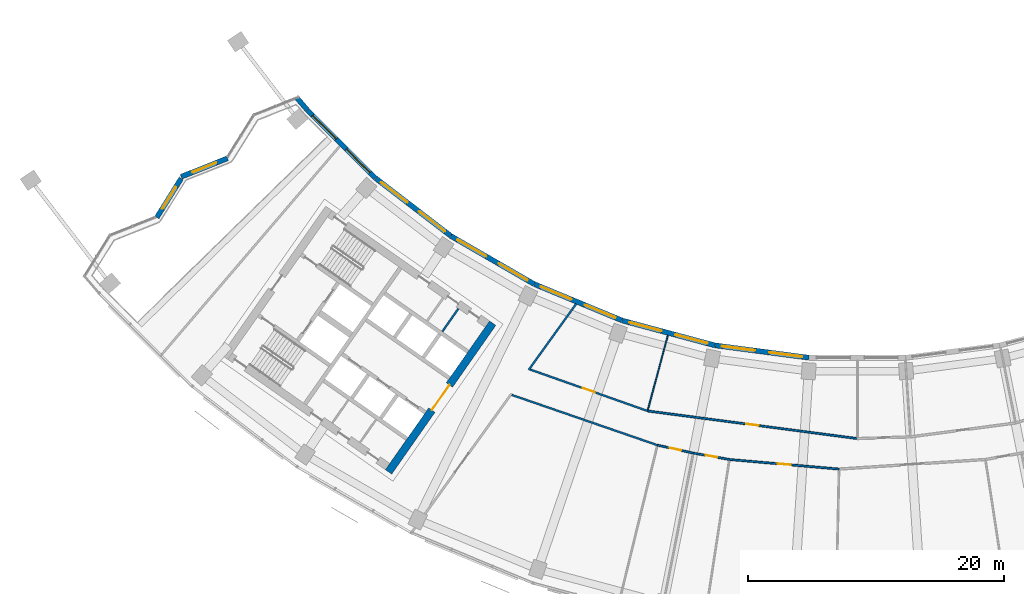
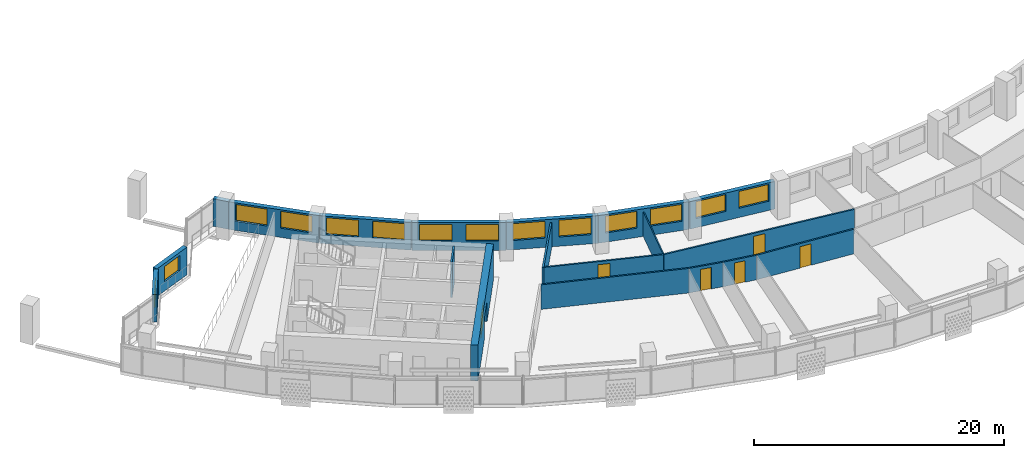
# One storey, part 4 of 27: 19 walls, 14 windows, 6 doors, 20 openings.
"""IFC4 building model written with IfcOpenShell, lengths in metres."""

from ifc_helpers import new_model, si_unit, direction, frame, frame_2d, origin, place, context, subcontext, project, spatial, rectangle, extrude, material, layer, layer_set, type_object, element, fill, save


model = new_model("IFC4")

# Units and contexts
model_context = context("Model", 3, precision=1e-05, world=origin(), true_north=direction((0.0, 1.0)))
body_context = subcontext(model_context, "Body", "Model", "MODEL_VIEW")
ifc_project = project(units=[si_unit("LENGTHUNIT", "METRE"), si_unit("AREAUNIT", "SQUARE_METRE"), si_unit("VOLUMEUNIT", "CUBIC_METRE"), si_unit("PLANEANGLEUNIT", "RADIAN"), si_unit("MASSUNIT", "GRAM", prefix="KILO")], contexts=[model_context])

# Site, building, storey
site_placement = place(None, origin())
site = spatial("IfcSite", under=ifc_project, at=site_placement, CompositionType="ELEMENT")
building_placement = place(site_placement, origin())
building = spatial("IfcBuilding", under=site, at=building_placement, Name="Qamariyya Broadcast Tower", CompositionType="ELEMENT")
storey_placement = place(building_placement, frame((0.0, 0.0, 153.10009765625)))
storey = spatial("IfcBuildingStorey", under=building, at=storey_placement, Name="L35", CompositionType="ELEMENT", Elevation=153.10009765625)

# Wall, opening, door
ifc_material_1 = material(Name="Concrete C60/75", Category="concrete")
ifc_layer_1 = layer(ifc_material_1, 0.60009765625)
ifc_layer_set_1 = layer_set([ifc_layer_1], Name="Core wall 600 mm Concrete C60/75")
wall_type_1 = type_object("IfcWallType", Name="Core wall 600 mm Concrete C60/75", PredefinedType="SHEAR", material=ifc_layer_set_1)
wall_1_placement = place(storey_placement, frame((-36.66748046875, -66.005126953125, 0.0), z_axis=(0.0, 0.0, 1.0), x_axis=(0.573568499524, 0.819157601658, 0.0)))
wall_1 = element("IfcWall", 1, at=wall_1_placement, inside=storey, type_object=wall_type_1, Name="k-W-L35-WA", PredefinedType="SHEAR", context=body_context, shape_type="SweptSolid", body=[
    extrude(rectangle(XDim=14.19970703125, YDim=0.60009765625, at=frame_2d((7.099853515625, 0.0))), origin(), (0.0, 0.0, 1.0), 3.5),
])
opening_1_placement = place(wall_1_placement, frame((5.89990234375, 0.0, 0.0)))
opening_1 = element("IfcOpeningElement", 2, at=opening_1_placement, cuts=wall_1, Name="Opening KD3-W1", PredefinedType="OPENING", context=body_context, shape_type="SweptSolid", body=[
    extrude(rectangle(XDim=2.39990234375, YDim=2.10009765625, at=frame_2d((1.199951171875, 1.050048828125))), frame((0.0, 0.31005859375, 0.0), z_axis=(0.0, -1.0, 0.0), x_axis=(1.0, 0.0, 0.0)), (0.0, 0.0, 1.0), 0.6201171875),
])
ifc_material_2 = material(Name="Steel fire-resisting door leaf", Category="steel")
door_type_1 = type_object("IfcDoorType", Name="Lift lobby door KD3", OperationType="DOUBLE_DOOR_SINGLE_SWING", PredefinedType="DOOR", material=ifc_material_2)
door_1_placement = place(opening_1_placement, origin())
door_1 = element("IfcDoor", 3, at=door_1_placement, inside=storey, type_object=door_type_1, Name="k-W-L35-WA-D1", OperationType="DOUBLE_DOOR_SINGLE_SWING", OverallHeight=2.10009765625, OverallWidth=2.39990234375, PredefinedType="DOOR", context=body_context, shape_type="SweptSolid", body=[
    extrude(rectangle(XDim=2.39990234375, YDim=2.10009765625, at=frame_2d((1.199951171875, 1.050048828125))), frame((0.0, 0.02490234375, 0.0), z_axis=(0.0, -1.0, 0.0), x_axis=(1.0, 0.0, 0.0)), (0.0, 0.0, 1.0), 0.050048828125),
])
fill(opening_1, door_1)

# Wall
ifc_material_3 = material(Name="Gypsum board partition")
ifc_layer_2 = layer(ifc_material_3, 0.14990234375)
ifc_layer_set_2 = layer_set([ifc_layer_2], Name="Corridor partition 150 EI 60")
wall_type_2 = type_object("IfcWallType", Name="Corridor partition 150 EI 60", PredefinedType="PARTITIONING", material=ifc_layer_set_2)
wall_2_placement = place(storey_placement, frame((-27.02978515625, -59.984375, 0.0), z_axis=(0.0, 0.0, 1.0), x_axis=(0.945316775618, -0.32615363517, 0.0)))
element("IfcWall", 4, at=wall_2_placement, inside=storey, type_object=wall_type_2, Name="Partition L35-003", PredefinedType="PARTITIONING", context=body_context, shape_type="SweptSolid", body=[
    extrude(rectangle(XDim=12.05078125, YDim=0.14990234375, at=frame_2d((6.025390625, 0.0))), origin(), (0.0, 0.0, 1.0), 2.39990234375),
])

# Wall, opening, door
wall_3_placement = place(storey_placement, frame((-25.598388671875, -57.99609375, 0.0), z_axis=(0.0, 0.0, 1.0), x_axis=(0.942977382292, -0.332856810785, 0.0)))
wall_3 = element("IfcWall", 5, at=wall_3_placement, inside=storey, type_object=wall_type_2, Name="Partition L35-004", PredefinedType="PARTITIONING", context=body_context, shape_type="SweptSolid", body=[
    extrude(rectangle(XDim=9.744873046875, YDim=0.14990234375, at=frame_2d((4.87255859375, 0.0))), origin(), (0.0, 0.0, 1.0), 2.39990234375),
])
opening_2_placement = place(wall_3_placement, frame((4.37255859375, 0.0, 0.0)))
opening_2 = element("IfcOpeningElement", 6, at=opening_2_placement, cuts=wall_3, Name="Opening L35-D09", PredefinedType="OPENING", context=body_context, shape_type="SweptSolid", body=[
    extrude(rectangle(XDim=1.0, YDim=2.10009765625, at=frame_2d((0.5, 1.050048828125))), frame((0.0, 0.0849609375, 0.0), z_axis=(0.0, -1.0, 0.0), x_axis=(1.0, 0.0, 0.0)), (0.0, 0.0, 1.0), 0.169921875),
])
ifc_material_4 = material(Name="Timber fire door leaf", Category="wood")
door_type_2 = type_object("IfcDoorType", Name="Fire door 1000 x 2100 FD60", OperationType="NOTDEFINED", PredefinedType="DOOR", material=ifc_material_4)
door_2_placement = place(opening_2_placement, origin())
door_2 = element("IfcDoor", 7, at=door_2_placement, inside=storey, type_object=door_type_2, Name="Door L35-D09", OperationType="SINGLE_SWING_RIGHT", OverallHeight=2.10009765625, OverallWidth=1.0, PredefinedType="DOOR", context=body_context, shape_type="SweptSolid", body=[
    extrude(rectangle(XDim=1.0, YDim=2.10009765625, at=frame_2d((0.5, 1.050048828125))), frame((0.0, 0.02490234375, 0.0), z_axis=(0.0, -1.0, 0.0), x_axis=(1.0, 0.0, 0.0)), (0.0, 0.0, 1.0), 0.050048828125),
])
fill(opening_2, door_2)

# Wall
wall_4_placement = place(storey_placement, frame((-22.0, -52.873046875, 0.0), z_axis=(0.0, 0.0, 1.0), x_axis=(-0.58417014289, -0.811631224236, 0.0)))
element("IfcWall", 8, at=wall_4_placement, inside=storey, type_object=wall_type_2, Name="Partition L35-005", PredefinedType="PARTITIONING", context=body_context, shape_type="SweptSolid", body=[
    extrude(rectangle(XDim=6.356201171875, YDim=0.14990234375, at=frame_2d((3.17822265625, 0.0))), origin(), (0.0, 0.0, 1.0), 2.39990234375),
])

# Wall, opening, door
wall_5_placement = place(storey_placement, frame((-16.4091796875, -61.23974609375, 0.0), z_axis=(0.0, 0.0, 1.0), x_axis=(0.991446059502, -0.130517091211, 0.0)))
wall_5 = element("IfcWall", 9, at=wall_5_placement, inside=storey, type_object=wall_type_2, Name="Partition L35-007", PredefinedType="PARTITIONING", context=body_context, shape_type="SweptSolid", body=[
    extrude(rectangle(XDim=16.55078125, YDim=0.14990234375, at=frame_2d((8.275390625, 0.0))), origin(), (0.0, 0.0, 1.0), 2.39990234375),
])
opening_3_placement = place(wall_5_placement, frame((7.775390625, 0.0, 0.0)))
opening_3 = element("IfcOpeningElement", 10, at=opening_3_placement, cuts=wall_5, Name="Opening L35-D10", PredefinedType="OPENING", context=body_context, shape_type="SweptSolid", body=[
    extrude(rectangle(XDim=1.0, YDim=2.10009765625, at=frame_2d((0.5, 1.050048828125))), frame((0.0, 0.0849609375, 0.0), z_axis=(0.0, -1.0, 0.0), x_axis=(1.0, 0.0, 0.0)), (0.0, 0.0, 1.0), 0.169921875),
])
door_3_placement = place(opening_3_placement, origin())
door_3 = element("IfcDoor", 11, at=door_3_placement, inside=storey, type_object=door_type_2, Name="Door L35-D10", OperationType="SINGLE_SWING_RIGHT", OverallHeight=2.10009765625, OverallWidth=1.0, PredefinedType="DOOR", context=body_context, shape_type="SweptSolid", body=[
    extrude(rectangle(XDim=1.0, YDim=2.10009765625, at=frame_2d((0.5, 1.050048828125))), frame((0.0, 0.02490234375, 0.0), z_axis=(0.0, -1.0, 0.0), x_axis=(1.0, 0.0, 0.0)), (0.0, 0.0, 1.0), 0.050048828125),
])
fill(opening_3, door_3)

wall_6_placement = place(storey_placement, frame((-12.8369140625, -64.53564453125, 0.0), z_axis=(0.0, 0.0, 1.0), x_axis=(-0.976305048544, 0.216398826676, 0.0)))
wall_6 = element("IfcWall", 12, at=wall_6_placement, inside=storey, type_object=wall_type_2, Name="Partition L35-008", PredefinedType="PARTITIONING", context=body_context, shape_type="SweptSolid", body=[
    extrude(rectangle(XDim=2.868896484375, YDim=0.14990234375, at=frame_2d((1.4345703125, 0.0))), origin(), (0.0, 0.0, 1.0), 2.39990234375),
])
opening_4_placement = place(wall_6_placement, frame((0.984619140625, 0.0, 0.0)))
opening_4 = element("IfcOpeningElement", 13, at=opening_4_placement, cuts=wall_6, Name="Opening L35-D02", PredefinedType="OPENING", context=body_context, shape_type="SweptSolid", body=[
    extrude(rectangle(XDim=0.89990234375, YDim=2.10009765625, at=frame_2d((0.449951171875, 1.050048828125))), frame((0.0, 0.0849609375, 0.0), z_axis=(0.0, -1.0, 0.0), x_axis=(1.0, 0.0, 0.0)), (0.0, 0.0, 1.0), 0.169921875),
])
door_type_3 = type_object("IfcDoorType", Name="Fire door 900 x 2100 FD60", OperationType="NOTDEFINED", PredefinedType="DOOR", material=ifc_material_4)
door_4_placement = place(opening_4_placement, origin())
door_4 = element("IfcDoor", 14, at=door_4_placement, inside=storey, type_object=door_type_3, Name="Door L35-D02", OperationType="SINGLE_SWING_RIGHT", OverallHeight=2.10009765625, OverallWidth=0.89990234375, PredefinedType="DOOR", context=body_context, shape_type="SweptSolid", body=[
    extrude(rectangle(XDim=0.89990234375, YDim=2.10009765625, at=frame_2d((0.449951171875, 1.050048828125))), frame((0.0, 0.02490234375, 0.0), z_axis=(0.0, -1.0, 0.0), x_axis=(1.0, 0.0, 0.0)), (0.0, 0.0, 1.0), 0.050048828125),
])
fill(opening_4, door_4)

wall_7_placement = place(storey_placement, frame((-10.011474609375, -65.033935546875, 0.0), z_axis=(0.0, 0.0, 1.0), x_axis=(-0.984802399532, 0.173678536027, 0.0)))
wall_7 = element("IfcWall", 15, at=wall_7_placement, inside=storey, type_object=wall_type_2, Name="Partition L35-011", PredefinedType="PARTITIONING", context=body_context, shape_type="SweptSolid", body=[
    extrude(rectangle(XDim=2.869140625, YDim=0.14990234375, at=frame_2d((1.4345703125, 0.0))), origin(), (0.0, 0.0, 1.0), 2.39990234375),
])
opening_5_placement = place(wall_7_placement, frame((0.984619140625, 0.0, 0.0)))
opening_5 = element("IfcOpeningElement", 16, at=opening_5_placement, cuts=wall_7, Name="Opening L35-D03", PredefinedType="OPENING", context=body_context, shape_type="SweptSolid", body=[
    extrude(rectangle(XDim=0.89990234375, YDim=2.10009765625, at=frame_2d((0.449951171875, 1.050048828125))), frame((0.0, 0.0849609375, 0.0), z_axis=(0.0, -1.0, 0.0), x_axis=(1.0, 0.0, 0.0)), (0.0, 0.0, 1.0), 0.169921875),
])
door_5_placement = place(opening_5_placement, origin())
door_5 = element("IfcDoor", 17, at=door_5_placement, inside=storey, type_object=door_type_3, Name="Door L35-D03", OperationType="SINGLE_SWING_RIGHT", OverallHeight=2.10009765625, OverallWidth=0.89990234375, PredefinedType="DOOR", context=body_context, shape_type="SweptSolid", body=[
    extrude(rectangle(XDim=0.89990234375, YDim=2.10009765625, at=frame_2d((0.449951171875, 1.050048828125))), frame((0.0, 0.02490234375, 0.0), z_axis=(0.0, -1.0, 0.0), x_axis=(1.0, 0.0, 0.0)), (0.0, 0.0, 1.0), 0.050048828125),
])
fill(opening_5, door_5)

wall_8_placement = place(storey_placement, frame((-1.437255859375, -65.7841796875, 0.0), z_axis=(0.0, 0.0, 1.0), x_axis=(-0.996193717496, 0.087166950281, 0.0)))
wall_8 = element("IfcWall", 18, at=wall_8_placement, inside=storey, type_object=wall_type_2, Name="Partition L35-013", PredefinedType="PARTITIONING", context=body_context, shape_type="SweptSolid", body=[
    extrude(rectangle(XDim=8.60693359375, YDim=0.14990234375, at=frame_2d((4.303466796875, 0.0))), origin(), (0.0, 0.0, 1.0), 2.39990234375),
])
opening_6_placement = place(wall_8_placement, frame((3.803466796875, 0.0, 0.0)))
opening_6 = element("IfcOpeningElement", 19, at=opening_6_placement, cuts=wall_8, Name="Opening L35-D04", PredefinedType="OPENING", context=body_context, shape_type="SweptSolid", body=[
    extrude(rectangle(XDim=1.0, YDim=2.10009765625, at=frame_2d((0.5, 1.050048828125))), frame((0.0, 0.0849609375, 0.0), z_axis=(0.0, -1.0, 0.0), x_axis=(1.0, 0.0, 0.0)), (0.0, 0.0, 1.0), 0.169921875),
])
door_6_placement = place(opening_6_placement, origin())
door_6 = element("IfcDoor", 20, at=door_6_placement, inside=storey, type_object=door_type_2, Name="Door L35-D04", OperationType="SINGLE_SWING_RIGHT", OverallHeight=2.10009765625, OverallWidth=1.0, PredefinedType="DOOR", context=body_context, shape_type="SweptSolid", body=[
    extrude(rectangle(XDim=1.0, YDim=2.10009765625, at=frame_2d((0.5, 1.050048828125))), frame((0.0, 0.02490234375, 0.0), z_axis=(0.0, -1.0, 0.0), x_axis=(1.0, 0.0, 0.0)), (0.0, 0.0, 1.0), 0.050048828125),
])
fill(opening_6, door_6)

# Walls
ifc_material_5 = material(Name="Gypsum board partition on steel studs", Category="steel")
ifc_layer_3 = layer(ifc_material_5, 0.14990234375)
ifc_layer_set_3 = layer_set([ifc_layer_3], Name="Gypsum board partition 150 mm")
wall_type_3 = type_object("IfcWallType", Name="Gypsum board partition 150 mm", PredefinedType="PARTITIONING", material=ifc_layer_set_3)
wall_9_placement = place(storey_placement, frame((-32.46337890625, -55.0322265625, 0.0), z_axis=(0.0, 0.0, 1.0), x_axis=(0.573507030513, 0.819200638399, 0.0)))
element("IfcWall", 21, at=wall_9_placement, inside=storey, type_object=wall_type_3, Name="k-W-L35-NP255", PredefinedType="PARTITIONING", context=body_context, shape_type="SweptSolid", body=[
    extrude(rectangle(XDim=2.199951171875, YDim=0.14990234375, at=frame_2d((1.10009765625, 0.0))), origin(), (0.0, 0.0, 1.0), 3.5),
])
ifc_layer_4 = layer(ifc_material_3, 0.10009765625)
ifc_layer_set_4 = layer_set([ifc_layer_4], Name="Partition 100")
wall_type_4 = type_object("IfcWallType", Name="Partition 100", PredefinedType="PARTITIONING", material=ifc_layer_set_4)
wall_10_placement = place(storey_placement, frame((-14.82470703125, -55.326171875, 0.0), z_axis=(0.0, 0.0, 1.0), x_axis=(-0.258793263352, -0.965932734119, 0.0)))
element("IfcWall", 22, at=wall_10_placement, inside=storey, type_object=wall_type_4, Name="Partition L35-010", PredefinedType="PARTITIONING", context=body_context, shape_type="SweptSolid", body=[
    extrude(rectangle(XDim=6.047119140625, YDim=0.10009765625, at=frame_2d((3.0234375, 0.0))), origin(), (0.0, 0.0, 1.0), 2.39990234375),
])

# Wall, opening, window
ifc_material_6 = material(Name="Terracotta", Category="masonry")
ifc_layer_5 = layer(ifc_material_6, 0.39990234375)
ifc_layer_set_5 = layer_set([ifc_layer_5], Name="Terracotta clad wall 400")
wall_type_5 = type_object("IfcWallType", Name="Terracotta clad wall 400", PredefinedType="SOLIDWALL", material=ifc_layer_set_5)
wall_11_placement = place(storey_placement, frame((-49.26318359375, -41.47265625, 0.0), z_axis=(0.0, 0.0, 1.0), x_axis=(-0.928787015949, -0.370613921762, 0.0)))
wall_11 = element("IfcWall", 23, at=wall_11_placement, inside=storey, type_object=wall_type_5, Name="e-wl-L35-capW2", PredefinedType="SOLIDWALL", context=body_context, shape_type="SweptSolid", body=[
    extrude(rectangle(XDim=3.90234375, YDim=0.39990234375, at=frame_2d((1.951171875, 0.0))), origin(), (0.0, 0.0, 1.0), 2.699951171875),
])
opening_7_placement = place(wall_11_placement, frame((0.951171875, 0.0, 0.89990234375)))
opening_7 = element("IfcOpeningElement", 24, at=opening_7_placement, cuts=wall_11, Name="Opening W4", PredefinedType="OPENING", context=body_context, shape_type="SweptSolid", body=[
    extrude(rectangle(XDim=2.0, YDim=1.5, at=frame_2d((1.0, 0.75))), frame((0.0, 0.2099609375, 0.0), z_axis=(0.0, -1.0, 0.0), x_axis=(1.0, 0.0, 0.0)), (0.0, 0.0, 1.0), 0.419921875),
])
ifc_material_7 = material(Name="Clear low-e double glazed unit in aluminium frame", Category="aluminium")
window_type_1 = type_object("IfcWindowType", Name="Horn bay window 2000 x 1500", PartitioningType="SINGLE_PANEL", PredefinedType="WINDOW", material=ifc_material_7)
window_1_placement = place(opening_7_placement, origin())
window_1 = element("IfcWindow", 25, at=window_1_placement, inside=storey, type_object=window_type_1, Name="e-w-L35-capW2", OverallHeight=1.5, OverallWidth=2.0, PartitioningType="SINGLE_PANEL", PredefinedType="WINDOW", context=body_context, shape_type="SweptSolid", body=[
    extrude(rectangle(XDim=2.0, YDim=1.5, at=frame_2d((1.0, 0.75))), frame((0.0, 0.030029296875, 0.0), z_axis=(0.0, -1.0, 0.0), x_axis=(1.0, 0.0, 0.0)), (0.0, 0.0, 1.0), 0.06005859375),
])
fill(opening_7, window_1)

wall_12_placement = place(storey_placement, frame((-52.89013671875, -43.056640625, 0.0), z_axis=(0.0, 0.0, 1.0), x_axis=(-0.529962239156, -0.84802124093, 0.0)))
wall_12 = element("IfcWall", 26, at=wall_12_placement, inside=storey, type_object=wall_type_5, Name="e-wl-L35-capW3", PredefinedType="SOLIDWALL", context=body_context, shape_type="SweptSolid", body=[
    extrude(rectangle(XDim=3.587646484375, YDim=0.39990234375, at=frame_2d((1.7939453125, 0.0))), origin(), (0.0, 0.0, 1.0), 2.699951171875),
])
opening_8_placement = place(wall_12_placement, frame((0.7939453125, 0.0, 0.89990234375)))
opening_8 = element("IfcOpeningElement", 27, at=opening_8_placement, cuts=wall_12, Name="Opening W4", PredefinedType="OPENING", context=body_context, shape_type="SweptSolid", body=[
    extrude(rectangle(XDim=2.0, YDim=1.5, at=frame_2d((1.0, 0.75))), frame((0.0, 0.2099609375, 0.0), z_axis=(0.0, -1.0, 0.0), x_axis=(1.0, 0.0, 0.0)), (0.0, 0.0, 1.0), 0.419921875),
])
window_2_placement = place(opening_8_placement, origin())
window_2 = element("IfcWindow", 28, at=window_2_placement, inside=storey, type_object=window_type_1, Name="e-w-L35-capW3", OverallHeight=1.5, OverallWidth=2.0, PartitioningType="SINGLE_PANEL", PredefinedType="WINDOW", context=body_context, shape_type="SweptSolid", body=[
    extrude(rectangle(XDim=2.0, YDim=1.5, at=frame_2d((1.0, 0.75))), frame((0.0, 0.030029296875, 0.0), z_axis=(0.0, -1.0, 0.0), x_axis=(1.0, 0.0, 0.0)), (0.0, 0.0, 1.0), 0.06005859375),
])
fill(opening_8, window_2)

# Wall
wall_13_placement = place(storey_placement, frame((-43.021484375, -37.69580078125, 0.0), z_axis=(0.0, 0.0, 1.0), x_axis=(-0.650512310751, 0.759495710035, 0.0)))
element("IfcWall", 29, at=wall_13_placement, inside=storey, type_object=wall_type_5, Name="e-wl-L35-in00", PredefinedType="SOLIDWALL", context=body_context, shape_type="SweptSolid", body=[
    extrude(rectangle(XDim=1.297119140625, YDim=0.39990234375, at=frame_2d((0.6484375, 0.0))), origin(), (0.0, 0.0, 1.0), 2.699951171875),
])

# Wall, openings, windows
wall_14_placement = place(storey_placement, frame((-37.697265625, -43.023193359375, 0.0), z_axis=(0.0, 0.0, 1.0), x_axis=(-0.707106781187, 0.707106781187, 0.0)))
wall_14 = element("IfcWall", 30, at=wall_14_placement, inside=storey, type_object=wall_type_5, Name="e-wl-L35-in10", PredefinedType="SOLIDWALL", context=body_context, shape_type="SweptSolid", body=[
    extrude(rectangle(XDim=7.516845703125, YDim=0.39990234375, at=frame_2d((3.75830078125, 0.0))), origin(), (0.0, 0.0, 1.0), 2.699951171875),
])
opening_9_placement = place(wall_14_placement, frame((4.330078125, 0.0, 0.89990234375)))
opening_9 = element("IfcOpeningElement", 31, at=opening_9_placement, cuts=wall_14, Name="Opening W1", PredefinedType="OPENING", context=body_context, shape_type="SweptSolid", body=[
    extrude(rectangle(XDim=2.60009765625, YDim=1.64990234375, at=frame_2d((1.300048828125, 0.824951171875))), frame((0.0, 0.2099609375, 0.0), z_axis=(0.0, -1.0, 0.0), x_axis=(1.0, 0.0, 0.0)), (0.0, 0.0, 1.0), 0.419921875),
])
opening_10_placement = place(wall_14_placement, frame((0.60205078125, 0.0, 0.89990234375)))
opening_10 = element("IfcOpeningElement", 32, at=opening_10_placement, cuts=wall_14, Name="Opening W1", PredefinedType="OPENING", context=body_context, shape_type="SweptSolid", body=[
    extrude(rectangle(XDim=2.60009765625, YDim=1.64990234375, at=frame_2d((1.300048828125, 0.824951171875))), frame((0.0, 0.2099609375, 0.0), z_axis=(0.0, -1.0, 0.0), x_axis=(1.0, 0.0, 0.0)), (0.0, 0.0, 1.0), 0.419921875),
])
window_type_2 = type_object("IfcWindowType", Name="Ribbon window 2600 x 1650", PartitioningType="SINGLE_PANEL", PredefinedType="WINDOW", material=ifc_material_7)
window_3_placement = place(opening_9_placement, origin())
window_3 = element("IfcWindow", 33, at=window_3_placement, inside=storey, type_object=window_type_2, Name="e-w-L35-in01-0", OverallHeight=1.64990234375, OverallWidth=2.60009765625, PartitioningType="SINGLE_PANEL", PredefinedType="WINDOW", context=body_context, shape_type="SweptSolid", body=[
    extrude(rectangle(XDim=2.60009765625, YDim=1.64990234375, at=frame_2d((1.300048828125, 0.824951171875))), frame((0.0, 0.030029296875, 0.0), z_axis=(0.0, -1.0, 0.0), x_axis=(1.0, 0.0, 0.0)), (0.0, 0.0, 1.0), 0.06005859375),
])
fill(opening_9, window_3)
window_4_placement = place(opening_10_placement, origin())
window_4 = element("IfcWindow", 34, at=window_4_placement, inside=storey, type_object=window_type_2, Name="e-w-L35-in01-1", OverallHeight=1.64990234375, OverallWidth=2.60009765625, PartitioningType="SINGLE_PANEL", PredefinedType="WINDOW", context=body_context, shape_type="SweptSolid", body=[
    extrude(rectangle(XDim=2.60009765625, YDim=1.64990234375, at=frame_2d((1.300048828125, 0.824951171875))), frame((0.0, 0.030029296875, 0.0), z_axis=(0.0, -1.0, 0.0), x_axis=(1.0, 0.0, 0.0)), (0.0, 0.0, 1.0), 0.06005859375),
])
fill(opening_10, window_4)

wall_15_placement = place(storey_placement, frame((-31.819091796875, -47.529541015625, 0.0), z_axis=(0.0, 0.0, 1.0), x_axis=(-0.79334647843, 0.608770371457, 0.0)))
wall_15 = element("IfcWall", 35, at=wall_15_placement, inside=storey, type_object=wall_type_5, Name="e-wl-L35-in20", PredefinedType="SOLIDWALL", context=body_context, shape_type="SweptSolid", body=[
    extrude(rectangle(XDim=7.380615234375, YDim=0.39990234375, at=frame_2d((3.6904296875, 0.0))), origin(), (0.0, 0.0, 1.0), 2.699951171875),
])
opening_11_placement = place(wall_15_placement, frame((4.25439453125, 0.0, 0.89990234375)))
opening_11 = element("IfcOpeningElement", 36, at=opening_11_placement, cuts=wall_15, Name="Opening W1", PredefinedType="OPENING", context=body_context, shape_type="SweptSolid", body=[
    extrude(rectangle(XDim=2.60009765625, YDim=1.64990234375, at=frame_2d((1.300048828125, 0.824951171875))), frame((0.0, 0.2099609375, 0.0), z_axis=(0.0, -1.0, 0.0), x_axis=(1.0, 0.0, 0.0)), (0.0, 0.0, 1.0), 0.419921875),
])
opening_12_placement = place(wall_15_placement, frame((0.5263671875, 0.0, 0.89990234375)))
opening_12 = element("IfcOpeningElement", 37, at=opening_12_placement, cuts=wall_15, Name="Opening W1", PredefinedType="OPENING", context=body_context, shape_type="SweptSolid", body=[
    extrude(rectangle(XDim=2.60009765625, YDim=1.64990234375, at=frame_2d((1.300048828125, 0.824951171875))), frame((0.0, 0.2099609375, 0.0), z_axis=(0.0, -1.0, 0.0), x_axis=(1.0, 0.0, 0.0)), (0.0, 0.0, 1.0), 0.419921875),
])
window_5_placement = place(opening_11_placement, origin())
window_5 = element("IfcWindow", 38, at=window_5_placement, inside=storey, type_object=window_type_2, Name="e-w-L35-in02-0", OverallHeight=1.64990234375, OverallWidth=2.60009765625, PartitioningType="SINGLE_PANEL", PredefinedType="WINDOW", context=body_context, shape_type="SweptSolid", body=[
    extrude(rectangle(XDim=2.60009765625, YDim=1.64990234375, at=frame_2d((1.300048828125, 0.824951171875))), frame((0.0, 0.030029296875, 0.0), z_axis=(0.0, -1.0, 0.0), x_axis=(1.0, 0.0, 0.0)), (0.0, 0.0, 1.0), 0.06005859375),
])
fill(opening_11, window_5)
window_6_placement = place(opening_12_placement, origin())
window_6 = element("IfcWindow", 39, at=window_6_placement, inside=storey, type_object=window_type_2, Name="e-w-L35-in02-1", OverallHeight=1.64990234375, OverallWidth=2.60009765625, PartitioningType="SINGLE_PANEL", PredefinedType="WINDOW", context=body_context, shape_type="SweptSolid", body=[
    extrude(rectangle(XDim=2.60009765625, YDim=1.64990234375, at=frame_2d((1.300048828125, 0.824951171875))), frame((0.0, 0.030029296875, 0.0), z_axis=(0.0, -1.0, 0.0), x_axis=(1.0, 0.0, 0.0)), (0.0, 0.0, 1.0), 0.06005859375),
])
fill(opening_12, window_6)

wall_16_placement = place(storey_placement, frame((-25.27734375, -51.31396484375, 0.0), z_axis=(0.0, 0.0, 1.0), x_axis=(-0.866028517328, 0.499994607145, 0.0)))
wall_16 = element("IfcWall", 40, at=wall_16_placement, inside=storey, type_object=wall_type_5, Name="e-wl-L35-in30", PredefinedType="SOLIDWALL", context=body_context, shape_type="SweptSolid", body=[
    extrude(rectangle(XDim=7.5322265625, YDim=0.39990234375, at=frame_2d((3.76611328125, 0.0))), origin(), (0.0, 0.0, 1.0), 2.699951171875),
])
opening_13_placement = place(wall_16_placement, frame((4.330078125, 0.0, 0.89990234375)))
opening_13 = element("IfcOpeningElement", 41, at=opening_13_placement, cuts=wall_16, Name="Opening W1", PredefinedType="OPENING", context=body_context, shape_type="SweptSolid", body=[
    extrude(rectangle(XDim=2.60009765625, YDim=1.64990234375, at=frame_2d((1.300048828125, 0.824951171875))), frame((0.0, 0.2099609375, 0.0), z_axis=(0.0, -1.0, 0.0), x_axis=(1.0, 0.0, 0.0)), (0.0, 0.0, 1.0), 0.419921875),
])
opening_14_placement = place(wall_16_placement, frame((0.60205078125, 0.0, 0.89990234375)))
opening_14 = element("IfcOpeningElement", 42, at=opening_14_placement, cuts=wall_16, Name="Opening W1", PredefinedType="OPENING", context=body_context, shape_type="SweptSolid", body=[
    extrude(rectangle(XDim=2.60009765625, YDim=1.64990234375, at=frame_2d((1.300048828125, 0.824951171875))), frame((0.0, 0.2099609375, 0.0), z_axis=(0.0, -1.0, 0.0), x_axis=(1.0, 0.0, 0.0)), (0.0, 0.0, 1.0), 0.419921875),
])
window_7_placement = place(opening_13_placement, origin())
window_7 = element("IfcWindow", 43, at=window_7_placement, inside=storey, type_object=window_type_2, Name="e-w-L35-in03-0", OverallHeight=1.64990234375, OverallWidth=2.60009765625, PartitioningType="SINGLE_PANEL", PredefinedType="WINDOW", context=body_context, shape_type="SweptSolid", body=[
    extrude(rectangle(XDim=2.60009765625, YDim=1.64990234375, at=frame_2d((1.300048828125, 0.824951171875))), frame((0.0, 0.030029296875, 0.0), z_axis=(0.0, -1.0, 0.0), x_axis=(1.0, 0.0, 0.0)), (0.0, 0.0, 1.0), 0.06005859375),
])
fill(opening_13, window_7)
window_8_placement = place(opening_14_placement, origin())
window_8 = element("IfcWindow", 44, at=window_8_placement, inside=storey, type_object=window_type_2, Name="e-w-L35-in03-1", OverallHeight=1.64990234375, OverallWidth=2.60009765625, PartitioningType="SINGLE_PANEL", PredefinedType="WINDOW", context=body_context, shape_type="SweptSolid", body=[
    extrude(rectangle(XDim=2.60009765625, YDim=1.64990234375, at=frame_2d((1.300048828125, 0.824951171875))), frame((0.0, 0.030029296875, 0.0), z_axis=(0.0, -1.0, 0.0), x_axis=(1.0, 0.0, 0.0)), (0.0, 0.0, 1.0), 0.06005859375),
])
fill(opening_14, window_8)

wall_17_placement = place(storey_placement, frame((-18.433349609375, -54.1455078125, 0.0), z_axis=(0.0, 0.0, 1.0), x_axis=(-0.923867659443, 0.382712095229, 0.0)))
wall_17 = element("IfcWall", 45, at=wall_17_placement, inside=storey, type_object=wall_type_5, Name="e-wl-L35-in40", PredefinedType="SOLIDWALL", context=body_context, shape_type="SweptSolid", body=[
    extrude(rectangle(XDim=7.380859375, YDim=0.39990234375, at=frame_2d((3.6904296875, 0.0))), origin(), (0.0, 0.0, 1.0), 2.699951171875),
])
opening_15_placement = place(wall_17_placement, frame((4.25439453125, 0.0, 0.89990234375)))
opening_15 = element("IfcOpeningElement", 46, at=opening_15_placement, cuts=wall_17, Name="Opening W1", PredefinedType="OPENING", context=body_context, shape_type="SweptSolid", body=[
    extrude(rectangle(XDim=2.60009765625, YDim=1.64990234375, at=frame_2d((1.300048828125, 0.824951171875))), frame((0.0, 0.2099609375, 0.0), z_axis=(0.0, -1.0, 0.0), x_axis=(1.0, 0.0, 0.0)), (0.0, 0.0, 1.0), 0.419921875),
])
opening_16_placement = place(wall_17_placement, frame((0.5263671875, 0.0, 0.89990234375)))
opening_16 = element("IfcOpeningElement", 47, at=opening_16_placement, cuts=wall_17, Name="Opening W1", PredefinedType="OPENING", context=body_context, shape_type="SweptSolid", body=[
    extrude(rectangle(XDim=2.60009765625, YDim=1.64990234375, at=frame_2d((1.300048828125, 0.824951171875))), frame((0.0, 0.2099609375, 0.0), z_axis=(0.0, -1.0, 0.0), x_axis=(1.0, 0.0, 0.0)), (0.0, 0.0, 1.0), 0.419921875),
])
window_9_placement = place(opening_15_placement, origin())
window_9 = element("IfcWindow", 48, at=window_9_placement, inside=storey, type_object=window_type_2, Name="e-w-L35-in04-0", OverallHeight=1.64990234375, OverallWidth=2.60009765625, PartitioningType="SINGLE_PANEL", PredefinedType="WINDOW", context=body_context, shape_type="SweptSolid", body=[
    extrude(rectangle(XDim=2.60009765625, YDim=1.64990234375, at=frame_2d((1.300048828125, 0.824951171875))), frame((0.0, 0.030029296875, 0.0), z_axis=(0.0, -1.0, 0.0), x_axis=(1.0, 0.0, 0.0)), (0.0, 0.0, 1.0), 0.06005859375),
])
fill(opening_15, window_9)
window_10_placement = place(opening_16_placement, origin())
window_10 = element("IfcWindow", 49, at=window_10_placement, inside=storey, type_object=window_type_2, Name="e-w-L35-in04-1", OverallHeight=1.64990234375, OverallWidth=2.60009765625, PartitioningType="SINGLE_PANEL", PredefinedType="WINDOW", context=body_context, shape_type="SweptSolid", body=[
    extrude(rectangle(XDim=2.60009765625, YDim=1.64990234375, at=frame_2d((1.300048828125, 0.824951171875))), frame((0.0, 0.030029296875, 0.0), z_axis=(0.0, -1.0, 0.0), x_axis=(1.0, 0.0, 0.0)), (0.0, 0.0, 1.0), 0.06005859375),
])
fill(opening_16, window_10)

wall_18_placement = place(storey_placement, frame((-11.135009765625, -56.10791015625, 0.0), z_axis=(0.0, 0.0, 1.0), x_axis=(-0.965927073219, 0.258814391452, 0.0)))
wall_18 = element("IfcWall", 50, at=wall_18_placement, inside=storey, type_object=wall_type_5, Name="e-wl-L35-in50", PredefinedType="SOLIDWALL", context=body_context, shape_type="SweptSolid", body=[
    extrude(rectangle(XDim=7.5322265625, YDim=0.39990234375, at=frame_2d((3.76611328125, 0.0))), origin(), (0.0, 0.0, 1.0), 2.699951171875),
])
opening_17_placement = place(wall_18_placement, frame((4.330078125, 0.0, 0.89990234375)))
opening_17 = element("IfcOpeningElement", 51, at=opening_17_placement, cuts=wall_18, Name="Opening W1", PredefinedType="OPENING", context=body_context, shape_type="SweptSolid", body=[
    extrude(rectangle(XDim=2.60009765625, YDim=1.64990234375, at=frame_2d((1.300048828125, 0.824951171875))), frame((0.0, 0.2099609375, 0.0), z_axis=(0.0, -1.0, 0.0), x_axis=(1.0, 0.0, 0.0)), (0.0, 0.0, 1.0), 0.419921875),
])
opening_18_placement = place(wall_18_placement, frame((0.60205078125, 0.0, 0.89990234375)))
opening_18 = element("IfcOpeningElement", 52, at=opening_18_placement, cuts=wall_18, Name="Opening W1", PredefinedType="OPENING", context=body_context, shape_type="SweptSolid", body=[
    extrude(rectangle(XDim=2.60009765625, YDim=1.64990234375, at=frame_2d((1.300048828125, 0.824951171875))), frame((0.0, 0.2099609375, 0.0), z_axis=(0.0, -1.0, 0.0), x_axis=(1.0, 0.0, 0.0)), (0.0, 0.0, 1.0), 0.419921875),
])
window_11_placement = place(opening_17_placement, origin())
window_11 = element("IfcWindow", 53, at=window_11_placement, inside=storey, type_object=window_type_2, Name="e-w-L35-in05-0", OverallHeight=1.64990234375, OverallWidth=2.60009765625, PartitioningType="SINGLE_PANEL", PredefinedType="WINDOW", context=body_context, shape_type="SweptSolid", body=[
    extrude(rectangle(XDim=2.60009765625, YDim=1.64990234375, at=frame_2d((1.300048828125, 0.824951171875))), frame((0.0, 0.030029296875, 0.0), z_axis=(0.0, -1.0, 0.0), x_axis=(1.0, 0.0, 0.0)), (0.0, 0.0, 1.0), 0.06005859375),
])
fill(opening_17, window_11)
window_12_placement = place(opening_18_placement, origin())
window_12 = element("IfcWindow", 54, at=window_12_placement, inside=storey, type_object=window_type_2, Name="e-w-L35-in05-1", OverallHeight=1.64990234375, OverallWidth=2.60009765625, PartitioningType="SINGLE_PANEL", PredefinedType="WINDOW", context=body_context, shape_type="SweptSolid", body=[
    extrude(rectangle(XDim=2.60009765625, YDim=1.64990234375, at=frame_2d((1.300048828125, 0.824951171875))), frame((0.0, 0.030029296875, 0.0), z_axis=(0.0, -1.0, 0.0), x_axis=(1.0, 0.0, 0.0)), (0.0, 0.0, 1.0), 0.06005859375),
])
fill(opening_18, window_12)

wall_19_placement = place(storey_placement, frame((-3.79150390625, -57.0712890625, 0.0), z_axis=(0.0, 0.0, 1.0), x_axis=(-0.99144438474, 0.130529812564, 0.0)))
wall_19 = element("IfcWall", 55, at=wall_19_placement, inside=storey, type_object=wall_type_5, Name="e-wl-L35-in60", PredefinedType="SOLIDWALL", context=body_context, shape_type="SweptSolid", body=[
    extrude(rectangle(XDim=7.380615234375, YDim=0.39990234375, at=frame_2d((3.6904296875, 0.0))), origin(), (0.0, 0.0, 1.0), 2.699951171875),
])
opening_19_placement = place(wall_19_placement, frame((4.25439453125, 0.0, 0.89990234375)))
opening_19 = element("IfcOpeningElement", 56, at=opening_19_placement, cuts=wall_19, Name="Opening W1", PredefinedType="OPENING", context=body_context, shape_type="SweptSolid", body=[
    extrude(rectangle(XDim=2.60009765625, YDim=1.64990234375, at=frame_2d((1.300048828125, 0.824951171875))), frame((0.0, 0.2099609375, 0.0), z_axis=(0.0, -1.0, 0.0), x_axis=(1.0, 0.0, 0.0)), (0.0, 0.0, 1.0), 0.419921875),
])
opening_20_placement = place(wall_19_placement, frame((0.5263671875, 0.0, 0.89990234375)))
opening_20 = element("IfcOpeningElement", 57, at=opening_20_placement, cuts=wall_19, Name="Opening W1", PredefinedType="OPENING", context=body_context, shape_type="SweptSolid", body=[
    extrude(rectangle(XDim=2.60009765625, YDim=1.64990234375, at=frame_2d((1.300048828125, 0.824951171875))), frame((0.0, 0.2099609375, 0.0), z_axis=(0.0, -1.0, 0.0), x_axis=(1.0, 0.0, 0.0)), (0.0, 0.0, 1.0), 0.419921875),
])
window_13_placement = place(opening_19_placement, origin())
window_13 = element("IfcWindow", 58, at=window_13_placement, inside=storey, type_object=window_type_2, Name="e-w-L35-in06-0", OverallHeight=1.64990234375, OverallWidth=2.60009765625, PartitioningType="SINGLE_PANEL", PredefinedType="WINDOW", context=body_context, shape_type="SweptSolid", body=[
    extrude(rectangle(XDim=2.60009765625, YDim=1.64990234375, at=frame_2d((1.300048828125, 0.824951171875))), frame((0.0, 0.030029296875, 0.0), z_axis=(0.0, -1.0, 0.0), x_axis=(1.0, 0.0, 0.0)), (0.0, 0.0, 1.0), 0.06005859375),
])
fill(opening_19, window_13)
window_14_placement = place(opening_20_placement, origin())
window_14 = element("IfcWindow", 59, at=window_14_placement, inside=storey, type_object=window_type_2, Name="e-w-L35-in06-1", OverallHeight=1.64990234375, OverallWidth=2.60009765625, PartitioningType="SINGLE_PANEL", PredefinedType="WINDOW", context=body_context, shape_type="SweptSolid", body=[
    extrude(rectangle(XDim=2.60009765625, YDim=1.64990234375, at=frame_2d((1.300048828125, 0.824951171875))), frame((0.0, 0.030029296875, 0.0), z_axis=(0.0, -1.0, 0.0), x_axis=(1.0, 0.0, 0.0)), (0.0, 0.0, 1.0), 0.06005859375),
])
fill(opening_20, window_14)

save(model, "model.ifc")
